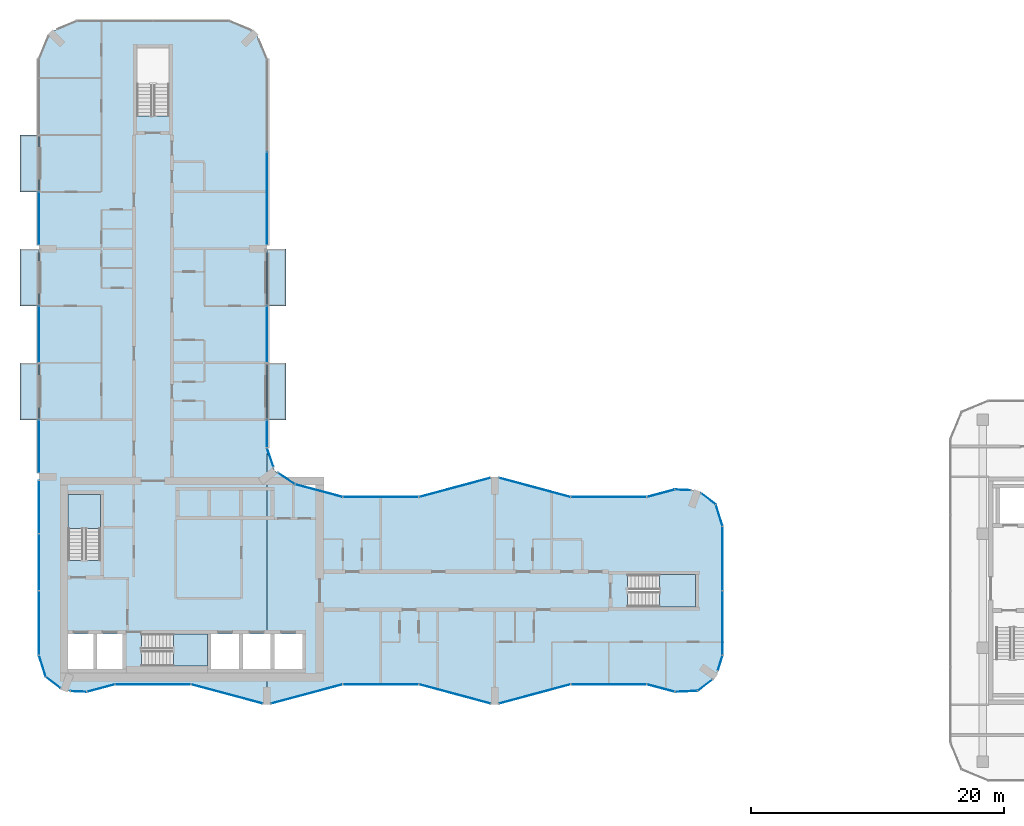
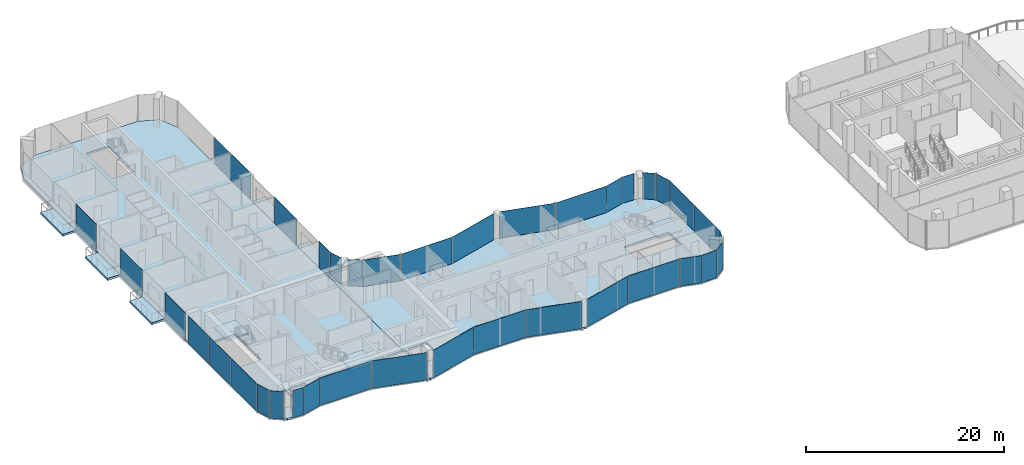
# One storey, part 11 of 22: 37 plates, 10 slabs, 37 elements without a shape of their own.
"""IFC4 building model written with IfcOpenShell, lengths in metres."""

from ifc_helpers import new_model, si_unit, direction, frame, origin, origin_2d, place, context, subcontext, project, spatial, polyline, rectangle, outline, extrude, material, layer, layer_set, type_object, element, aggregate, save


model = new_model("IFC4")

# Units and contexts
model_context = context("Model", 3, precision=1e-05, world=origin(), true_north=direction((0.0, 1.0)))
body_context = subcontext(model_context, "Body", "Model", "MODEL_VIEW")
ifc_project = project(units=[si_unit("LENGTHUNIT", "METRE"), si_unit("AREAUNIT", "SQUARE_METRE"), si_unit("VOLUMEUNIT", "CUBIC_METRE"), si_unit("PLANEANGLEUNIT", "RADIAN"), si_unit("MASSUNIT", "GRAM", prefix="KILO")], contexts=[model_context])

# Site, building, storey
site_placement = place(None, origin())
site = spatial("IfcSite", under=ifc_project, at=site_placement, CompositionType="ELEMENT")
building_placement = place(site_placement, origin())
building = spatial("IfcBuilding", under=site, at=building_placement, Name="Plateau Cross Towers", CompositionType="ELEMENT")
storey_placement = place(building_placement, frame((0.0, 0.0, 116.800048828125)))
storey = spatial("IfcBuildingStorey", under=building, at=storey_placement, Name="L30", CompositionType="ELEMENT", Elevation=116.800048828125)

# Slabs
ifc_material_1 = material(Name="Concrete C40/50", Category="concrete")
ifc_layer_1 = layer(ifc_material_1, 0.25)
ifc_layer_set_1 = layer_set([ifc_layer_1], Name="Concrete C40/50")
slab_type_1 = type_object("IfcSlabType", Name="Balcony slab 250", PredefinedType="FLOOR", material=ifc_layer_set_1)
slab_1_placement = place(storey_placement, frame((0.0, 0.0, -0.25)))
element("IfcSlab", 1, at=slab_1_placement, inside=storey, type_object=slab_type_1, Name="Balcony slab A-BAL-L30-01", PredefinedType="FLOOR", context=body_context, shape_type="SweptSolid", body=[
    extrude(outline(polyline([(0.0, 22.5), (0.0, 27.0), (-1.5, 27.0), (-1.5, 22.5), (0.0, 22.5)])), origin(), (0.0, 0.0, 1.0), 0.25),
])
slab_2_placement = place(storey_placement, frame((0.0, 0.0, -0.25)))
element("IfcSlab", 2, at=slab_2_placement, inside=storey, type_object=slab_type_1, Name="Balcony slab A-BAL-L30-02", PredefinedType="FLOOR", context=body_context, shape_type="SweptSolid", body=[
    extrude(outline(polyline([(0.0, 31.5), (0.0, 36.0), (-1.5, 36.0), (-1.5, 31.5), (0.0, 31.5)])), origin(), (0.0, 0.0, 1.0), 0.25),
])
slab_3_placement = place(storey_placement, frame((0.0, 0.0, -0.25)))
element("IfcSlab", 3, at=slab_3_placement, inside=storey, type_object=slab_type_1, Name="Balcony slab A-BAL-L30-03", PredefinedType="FLOOR", context=body_context, shape_type="SweptSolid", body=[
    extrude(outline(polyline([(0.0, 40.5), (0.0, 45.0), (-1.5, 45.0), (-1.5, 40.5), (0.0, 40.5)])), origin(), (0.0, 0.0, 1.0), 0.25),
])
slab_4_placement = place(storey_placement, frame((0.0, 0.0, -0.25)))
element("IfcSlab", 4, at=slab_4_placement, inside=storey, type_object=slab_type_1, Name="Balcony slab A-BAL-L30-04", PredefinedType="FLOOR", context=body_context, shape_type="SweptSolid", body=[
    extrude(outline(polyline([(19.5, 22.5), (19.5, 27.0), (18.0, 27.0), (18.0, 22.5), (19.5, 22.5)])), origin(), (0.0, 0.0, 1.0), 0.25),
])
slab_5_placement = place(storey_placement, frame((0.0, 0.0, -0.25)))
element("IfcSlab", 5, at=slab_5_placement, inside=storey, type_object=slab_type_1, Name="Balcony slab A-BAL-L30-05", PredefinedType="FLOOR", context=body_context, shape_type="SweptSolid", body=[
    extrude(outline(polyline([(19.5, 31.5), (19.5, 36.0), (18.0, 36.0), (18.0, 31.5), (19.5, 31.5)])), origin(), (0.0, 0.0, 1.0), 0.25),
])

# Curtain wall, plate
ifc_material_2 = material(Name="Dark low-iron glass", Category="glass")
ifc_layer_2 = layer(ifc_material_2, 0.239990234375)
ifc_layer_set_2 = layer_set([ifc_layer_2], Name="Dark low-iron glass")
curtain_wall_type_1 = type_object("IfcCurtainWallType", Name="Curtain wall flush unitised CW-B", PredefinedType="NOTDEFINED", material=ifc_layer_set_2)
curtain_wall_1_placement = place(storey_placement, origin())
curtain_wall_1 = element("IfcCurtainWall", 6, at=curtain_wall_1_placement, inside=storey, type_object=curtain_wall_type_1, Name="ENV/A/L30/A502_10", PredefinedType="NOTDEFINED")
ifc_layer_3 = layer(ifc_material_2, 0.031982421875)
ifc_layer_set_3 = layer_set([ifc_layer_3], Name="Dark low-iron glass")
plate_type_1 = type_object("IfcPlateType", Name="Glass panel 32 flush unitised", PredefinedType="CURTAIN_PANEL", material=ifc_layer_set_3)
plate_1_placement = place(storey_placement, frame((51.125, 1.05078125, -0.1298828125), z_axis=(0.0, 0.0, 1.0), x_axis=(0.999043701491, 0.043722791671, 0.0)))
plate_1 = element("IfcPlate", 7, at=plate_1_placement, type_object=plate_type_1, Name="CW-B panel 1", PredefinedType="CURTAIN_PANEL", context=body_context, shape_type="SweptSolid", body=[
    extrude(rectangle(XDim=1.744140625, YDim=0.031982421875, at=origin_2d()), origin(), (0.0, 0.0, 1.0), 3.3798828125),
])
aggregate(curtain_wall_1, [plate_1])

curtain_wall_2_placement = place(storey_placement, origin())
curtain_wall_2 = element("IfcCurtainWall", 8, at=curtain_wall_2_placement, inside=storey, type_object=curtain_wall_type_1, Name="ENV/A/L30/A520_11", PredefinedType="NOTDEFINED")
plate_2_placement = place(storey_placement, frame((52.60986328125, 1.5380859375, -0.1298828125), z_axis=(0.0, 0.0, 1.0), x_axis=(0.793315514529, 0.608810721331, 0.0)))
plate_2 = element("IfcPlate", 9, at=plate_2_placement, type_object=plate_type_1, Name="CW-B panel 1", PredefinedType="CURTAIN_PANEL", context=body_context, shape_type="SweptSolid", body=[
    extrude(rectangle(XDim=1.41162109375, YDim=0.031982421875, at=origin_2d()), origin(), (0.0, 0.0, 1.0), 3.3798828125),
])
aggregate(curtain_wall_2, [plate_2])

curtain_wall_3_placement = place(storey_placement, origin())
curtain_wall_3 = element("IfcCurtainWall", 10, at=curtain_wall_3_placement, inside=storey, type_object=curtain_wall_type_1, Name="ENV/A/L30/A536_27", PredefinedType="NOTDEFINED")
plate_3_placement = place(storey_placement, frame((53.805419921875, 3.292236328125, -0.1298828125), z_axis=(0.0, 0.0, 1.0), x_axis=(0.300686174994, 0.95372313811, 0.0)))
plate_3 = element("IfcPlate", 11, at=plate_3_placement, type_object=plate_type_1, Name="CW-B panel 1", PredefinedType="CURTAIN_PANEL", context=body_context, shape_type="SweptSolid", body=[
    extrude(rectangle(XDim=1.233642578125, YDim=0.031982421875, at=origin_2d()), origin(), (0.0, 0.0, 1.0), 3.3798828125),
])
aggregate(curtain_wall_3, [plate_3])

# Curtain wall, plates
curtain_wall_4_placement = place(storey_placement, origin())
curtain_wall_4 = element("IfcCurtainWall", 12, at=curtain_wall_4_placement, inside=storey, type_object=curtain_wall_type_1, Name="ENV/A/L30/A540_39", PredefinedType="NOTDEFINED")
plate_4_placement = place(storey_placement, frame((54.0, 6.45458984375, -0.1298828125), z_axis=(0.0, 0.0, 1.0), x_axis=(0.0, 1.0, 0.0)))
plate_4 = element("IfcPlate", 13, at=plate_4_placement, type_object=plate_type_1, Name="CW-B panel 1", PredefinedType="CURTAIN_PANEL", context=body_context, shape_type="SweptSolid", body=[
    extrude(rectangle(XDim=5.03076171875, YDim=0.031982421875, at=origin_2d()), origin(), (0.0, 0.0, 1.0), 3.3798828125),
])
plate_5_placement = place(storey_placement, frame((54.0, 11.54541015625, -0.1298828125), z_axis=(0.0, 0.0, 1.0), x_axis=(0.0, 1.0, 0.0)))
plate_5 = element("IfcPlate", 14, at=plate_5_placement, type_object=plate_type_1, Name="CW-B panel 2", PredefinedType="CURTAIN_PANEL", context=body_context, shape_type="SweptSolid", body=[
    extrude(rectangle(XDim=5.03076171875, YDim=0.031982421875, at=origin_2d()), origin(), (0.0, 0.0, 1.0), 3.3798828125),
])
aggregate(curtain_wall_4, [plate_4, plate_5])

# Curtain wall, plate
curtain_wall_5_placement = place(storey_placement, origin())
curtain_wall_5 = element("IfcCurtainWall", 15, at=curtain_wall_5_placement, inside=storey, type_object=curtain_wall_type_1, Name="ENV/A/L30/A540_141", PredefinedType="NOTDEFINED")
plate_6_placement = place(storey_placement, frame((53.728759765625, 14.951171875, -0.1298828125), z_axis=(0.0, 0.0, 1.0), x_axis=(-0.300686174994, 0.95372313811, 0.0)))
plate_6 = element("IfcPlate", 16, at=plate_6_placement, type_object=plate_type_1, Name="CW-B panel 1", PredefinedType="CURTAIN_PANEL", context=body_context, shape_type="SweptSolid", body=[
    extrude(rectangle(XDim=1.744140625, YDim=0.031982421875, at=origin_2d()), origin(), (0.0, 0.0, 1.0), 3.3798828125),
])
aggregate(curtain_wall_5, [plate_6])

curtain_wall_6_placement = place(storey_placement, origin())
curtain_wall_6 = element("IfcCurtainWall", 17, at=curtain_wall_6_placement, inside=storey, type_object=curtain_wall_type_1, Name="ENV/A/L30/A535_158", PredefinedType="NOTDEFINED")
plate_7_placement = place(storey_placement, frame((52.873779296875, 16.25927734375, -0.1298828125), z_axis=(0.0, 0.0, 1.0), x_axis=(-0.793315514529, 0.608810721331, 0.0)))
plate_7 = element("IfcPlate", 18, at=plate_7_placement, type_object=plate_type_1, Name="CW-B panel 1", PredefinedType="CURTAIN_PANEL", context=body_context, shape_type="SweptSolid", body=[
    extrude(rectangle(XDim=1.41162109375, YDim=0.031982421875, at=origin_2d()), origin(), (0.0, 0.0, 1.0), 3.3798828125),
])
aggregate(curtain_wall_6, [plate_7])

curtain_wall_7_placement = place(storey_placement, origin())
curtain_wall_7 = element("IfcCurtainWall", 19, at=curtain_wall_7_placement, inside=storey, type_object=curtain_wall_type_1, Name="ENV/A/L30/A515_169", PredefinedType="NOTDEFINED")
plate_8_placement = place(storey_placement, frame((50.8701171875, 16.96044921875, -0.1298828125), z_axis=(0.0, 0.0, 1.0), x_axis=(-0.999043701491, 0.043722791671, 0.0)))
plate_8 = element("IfcPlate", 20, at=plate_8_placement, type_object=plate_type_1, Name="CW-B panel 1", PredefinedType="CURTAIN_PANEL", context=body_context, shape_type="SweptSolid", body=[
    extrude(rectangle(XDim=1.233642578125, YDim=0.031982421875, at=origin_2d()), origin(), (0.0, 0.0, 1.0), 3.3798828125),
])
aggregate(curtain_wall_7, [plate_8])

curtain_wall_8_placement = place(storey_placement, origin())
curtain_wall_8 = element("IfcCurtainWall", 21, at=curtain_wall_8_placement, inside=storey, type_object=curtain_wall_type_1, Name="ENV/A/L30/A202_174", PredefinedType="NOTDEFINED")
plate_9_placement = place(storey_placement, frame((19.546630859375, 17.856689453125, -0.1298828125), z_axis=(0.0, 0.0, 1.0), x_axis=(-0.831521253329, 0.555492938984, 0.0)))
plate_9 = element("IfcPlate", 22, at=plate_9_placement, type_object=plate_type_1, Name="CW-B panel 1", PredefinedType="CURTAIN_PANEL", context=body_context, shape_type="SweptSolid", body=[
    extrude(rectangle(XDim=1.56884765625, YDim=0.031982421875, at=origin_2d()), origin(), (0.0, 0.0, 1.0), 3.3798828125),
])
aggregate(curtain_wall_8, [plate_9])

curtain_wall_9_placement = place(storey_placement, origin())
curtain_wall_9 = element("IfcCurtainWall", 23, at=curtain_wall_9_placement, inside=storey, type_object=curtain_wall_type_1, Name="ENV/A/L30/A185_188", PredefinedType="NOTDEFINED")
plate_10_placement = place(storey_placement, frame((18.26171875, 19.531005859375, -0.1298828125), z_axis=(0.0, 0.0, 1.0), x_axis=(-0.321469161574, 0.94692004845, 0.0)))
plate_10 = element("IfcPlate", 24, at=plate_10_placement, type_object=plate_type_1, Name="CW-B panel 1", PredefinedType="CURTAIN_PANEL", context=body_context, shape_type="SweptSolid", body=[
    extrude(rectangle(XDim=1.56884765625, YDim=0.031982421875, at=origin_2d()), origin(), (0.0, 0.0, 1.0), 3.3798828125),
])
aggregate(curtain_wall_9, [plate_10])

curtain_wall_10_placement = place(storey_placement, origin())
curtain_wall_10 = element("IfcCurtainWall", 25, at=curtain_wall_10_placement, inside=storey, type_object=curtain_wall_type_1, Name="ENV/A/L30/A180_203", PredefinedType="NOTDEFINED")
plate_11_placement = place(storey_placement, frame((18.0, 21.396240234375, -0.1298828125), z_axis=(0.0, 0.0, 1.0), x_axis=(0.0, 1.0, 0.0)))
plate_11 = element("IfcPlate", 26, at=plate_11_placement, type_object=plate_type_1, Name="CW-B panel 1", PredefinedType="CURTAIN_PANEL", context=body_context, shape_type="SweptSolid", body=[
    extrude(rectangle(XDim=2.127685546875, YDim=0.031982421875, at=origin_2d()), origin(), (0.0, 0.0, 1.0), 3.3798828125),
])
aggregate(curtain_wall_10, [plate_11])

curtain_wall_11_placement = place(storey_placement, origin())
curtain_wall_11 = element("IfcCurtainWall", 27, at=curtain_wall_11_placement, inside=storey, type_object=curtain_wall_type_1, Name="ENV/A/L30/A180_270", PredefinedType="NOTDEFINED")
plate_12_placement = place(storey_placement, frame((18.0, 29.25, -0.1298828125), z_axis=(0.0, 0.0, 1.0), x_axis=(0.0, 1.0, 0.0)))
plate_12 = element("IfcPlate", 28, at=plate_12_placement, type_object=plate_type_1, Name="CW-B panel 1", PredefinedType="CURTAIN_PANEL", context=body_context, shape_type="SweptSolid", body=[
    extrude(rectangle(XDim=4.419921875, YDim=0.031982421875, at=origin_2d()), origin(), (0.0, 0.0, 1.0), 3.3798828125),
])
aggregate(curtain_wall_11, [plate_12])

curtain_wall_12_placement = place(storey_placement, origin())
curtain_wall_12 = element("IfcCurtainWall", 29, at=curtain_wall_12_placement, inside=storey, type_object=curtain_wall_type_1, Name="ENV/A/L30/A180_363", PredefinedType="NOTDEFINED")
plate_13_placement = place(storey_placement, frame((18.0, 39.97509765625, -0.1298828125), z_axis=(0.0, 0.0, 1.0), x_axis=(0.0, 1.0, 0.0)))
plate_13 = element("IfcPlate", 30, at=plate_13_placement, type_object=plate_type_1, Name="CW-B panel 1", PredefinedType="CURTAIN_PANEL", context=body_context, shape_type="SweptSolid", body=[
    extrude(rectangle(XDim=7.2900390625, YDim=0.031982421875, at=origin_2d()), origin(), (0.0, 0.0, 1.0), 3.3798828125),
])
aggregate(curtain_wall_12, [plate_13])

curtain_wall_13_placement = place(storey_placement, origin())
curtain_wall_13 = element("IfcCurtainWall", 31, at=curtain_wall_13_placement, inside=storey, type_object=curtain_wall_type_1, Name="ENV/A/L30/A0_405", PredefinedType="NOTDEFINED")
plate_14_placement = place(storey_placement, frame((0.0, 38.39501953125, -0.1298828125), z_axis=(0.0, 0.0, 1.0), x_axis=(0.0, -1.0, 0.0)))
plate_14 = element("IfcPlate", 32, at=plate_14_placement, type_object=plate_type_1, Name="CW-B panel 1", PredefinedType="CURTAIN_PANEL", context=body_context, shape_type="SweptSolid", body=[
    extrude(rectangle(XDim=4.1298828125, YDim=0.031982421875, at=origin_2d()), origin(), (0.0, 0.0, 1.0), 3.3798828125),
])
aggregate(curtain_wall_13, [plate_14])

curtain_wall_14_placement = place(storey_placement, origin())
curtain_wall_14 = element("IfcCurtainWall", 33, at=curtain_wall_14_placement, inside=storey, type_object=curtain_wall_type_1, Name="ENV/A/L30/A0_315", PredefinedType="NOTDEFINED")
plate_15_placement = place(storey_placement, frame((0.0, 29.25, -0.1298828125), z_axis=(0.0, 0.0, 1.0), x_axis=(0.0, -1.0, 0.0)))
plate_15 = element("IfcPlate", 34, at=plate_15_placement, type_object=plate_type_1, Name="CW-B panel 1", PredefinedType="CURTAIN_PANEL", context=body_context, shape_type="SweptSolid", body=[
    extrude(rectangle(XDim=4.419921875, YDim=0.031982421875, at=origin_2d()), origin(), (0.0, 0.0, 1.0), 3.3798828125),
])
aggregate(curtain_wall_14, [plate_15])

curtain_wall_15_placement = place(storey_placement, origin())
curtain_wall_15 = element("IfcCurtainWall", 35, at=curtain_wall_15_placement, inside=storey, type_object=curtain_wall_type_1, Name="ENV/A/L30/A0_225", PredefinedType="NOTDEFINED")
plate_16_placement = place(storey_placement, frame((0.0, 20.39501953125, -0.1298828125), z_axis=(0.0, 0.0, 1.0), x_axis=(0.0, -1.0, 0.0)))
plate_16 = element("IfcPlate", 36, at=plate_16_placement, type_object=plate_type_1, Name="CW-B panel 1", PredefinedType="CURTAIN_PANEL", context=body_context, shape_type="SweptSolid", body=[
    extrude(rectangle(XDim=4.1298828125, YDim=0.031982421875, at=origin_2d()), origin(), (0.0, 0.0, 1.0), 3.3798828125),
])
aggregate(curtain_wall_15, [plate_16])

# Curtain wall, plates
curtain_wall_16_placement = place(storey_placement, origin())
curtain_wall_16 = element("IfcCurtainWall", 37, at=curtain_wall_16_placement, inside=storey, type_object=curtain_wall_type_1, Name="ENV/A/L30/A0_177", PredefinedType="NOTDEFINED")
plate_17_placement = place(storey_placement, frame((0.0, 15.60009765625, -0.1298828125), z_axis=(0.0, 0.0, 1.0), x_axis=(0.0, -1.0, 0.0)))
plate_17 = element("IfcPlate", 38, at=plate_17_placement, type_object=plate_type_1, Name="CW-B panel 1", PredefinedType="CURTAIN_PANEL", context=body_context, shape_type="SweptSolid", body=[
    extrude(rectangle(XDim=4.139892578125, YDim=0.031982421875, at=origin_2d()), origin(), (0.0, 0.0, 1.0), 3.3798828125),
])
plate_18_placement = place(storey_placement, frame((0.0, 11.25, -0.1298828125), z_axis=(0.0, 0.0, 1.0), x_axis=(0.0, -1.0, 0.0)))
plate_18 = element("IfcPlate", 39, at=plate_18_placement, type_object=plate_type_1, Name="CW-B panel 2", PredefinedType="CURTAIN_PANEL", context=body_context, shape_type="SweptSolid", body=[
    extrude(rectangle(XDim=4.43994140625, YDim=0.031982421875, at=origin_2d()), origin(), (0.0, 0.0, 1.0), 3.3798828125),
])
plate_19_placement = place(storey_placement, frame((0.0, 6.45458984375, -0.1298828125), z_axis=(0.0, 0.0, 1.0), x_axis=(0.0, -1.0, 0.0)))
plate_19 = element("IfcPlate", 40, at=plate_19_placement, type_object=plate_type_1, Name="CW-B panel 3", PredefinedType="CURTAIN_PANEL", context=body_context, shape_type="SweptSolid", body=[
    extrude(rectangle(XDim=5.03076171875, YDim=0.031982421875, at=origin_2d()), origin(), (0.0, 0.0, 1.0), 3.3798828125),
])
aggregate(curtain_wall_16, [plate_17, plate_18, plate_19])

# Curtain wall, plate
curtain_wall_17_placement = place(storey_placement, origin())
curtain_wall_17 = element("IfcCurtainWall", 41, at=curtain_wall_17_placement, inside=storey, type_object=curtain_wall_type_1, Name="ENV/A/L30/A0_39", PredefinedType="NOTDEFINED")
plate_20_placement = place(storey_placement, frame((0.271240234375, 3.048828125, -0.1298828125), z_axis=(0.0, 0.0, 1.0), x_axis=(0.300686174994, -0.95372313811, 0.0)))
plate_20 = element("IfcPlate", 42, at=plate_20_placement, type_object=plate_type_1, Name="CW-B panel 1", PredefinedType="CURTAIN_PANEL", context=body_context, shape_type="SweptSolid", body=[
    extrude(rectangle(XDim=1.744140625, YDim=0.031982421875, at=origin_2d()), origin(), (0.0, 0.0, 1.0), 3.3798828125),
])
aggregate(curtain_wall_17, [plate_20])

curtain_wall_18_placement = place(storey_placement, origin())
curtain_wall_18 = element("IfcCurtainWall", 43, at=curtain_wall_18_placement, inside=storey, type_object=curtain_wall_type_1, Name="ENV/A/L30/A5_22", PredefinedType="NOTDEFINED")
plate_21_placement = place(storey_placement, frame((1.126220703125, 1.74072265625, -0.1298828125), z_axis=(0.0, 0.0, 1.0), x_axis=(0.793315514529, -0.608810721331, 0.0)))
plate_21 = element("IfcPlate", 44, at=plate_21_placement, type_object=plate_type_1, Name="CW-B panel 1", PredefinedType="CURTAIN_PANEL", context=body_context, shape_type="SweptSolid", body=[
    extrude(rectangle(XDim=1.41162109375, YDim=0.031982421875, at=origin_2d()), origin(), (0.0, 0.0, 1.0), 3.3798828125),
])
aggregate(curtain_wall_18, [plate_21])

curtain_wall_19_placement = place(storey_placement, origin())
curtain_wall_19 = element("IfcCurtainWall", 45, at=curtain_wall_19_placement, inside=storey, type_object=curtain_wall_type_1, Name="ENV/A/L30/A25_11", PredefinedType="NOTDEFINED")
plate_22_placement = place(storey_placement, frame((3.1298828125, 1.03955078125, -0.1298828125), z_axis=(0.0, 0.0, 1.0), x_axis=(0.999043701491, -0.043722791671, 0.0)))
plate_22 = element("IfcPlate", 46, at=plate_22_placement, type_object=plate_type_1, Name="CW-B panel 1", PredefinedType="CURTAIN_PANEL", context=body_context, shape_type="SweptSolid", body=[
    extrude(rectangle(XDim=1.233642578125, YDim=0.031982421875, at=origin_2d()), origin(), (0.0, 0.0, 1.0), 3.3798828125),
])
aggregate(curtain_wall_19, [plate_22])

ifc_layer_4 = layer(ifc_material_2, 0.260009765625)
ifc_layer_set_4 = layer_set([ifc_layer_4], Name="Dark low-iron glass")
curtain_wall_type_2 = type_object("IfcCurtainWallType", Name="Curtain wall fluted unitised CW-A", PredefinedType="NOTDEFINED", material=ifc_layer_set_4)
curtain_wall_20_placement = place(storey_placement, origin())
curtain_wall_20 = element("IfcCurtainWall", 47, at=curtain_wall_20_placement, inside=storey, type_object=curtain_wall_type_2, Name="ENV/A/L30/A38_10", PredefinedType="NOTDEFINED")
ifc_layer_5 = layer(ifc_material_2, 0.035888671875)
ifc_layer_set_5 = layer_set([ifc_layer_5], Name="Dark low-iron glass")
plate_type_2 = type_object("IfcPlateType", Name="Glass panel 36 fluted unitised", PredefinedType="CURTAIN_PANEL", material=ifc_layer_set_5)
plate_23_placement = place(storey_placement, frame((4.887939453125, 1.30908203125, -0.1298828125), z_axis=(0.0, 0.0, 1.0), x_axis=(0.965957962328, 0.258699081978, 0.0)))
plate_23 = element("IfcPlate", 48, at=plate_23_placement, type_object=plate_type_2, Name="CW-A panel 1", PredefinedType="CURTAIN_PANEL", context=body_context, shape_type="SweptSolid", body=[
    extrude(rectangle(XDim=2.2421875, YDim=0.035888671875, at=origin_2d()), origin(), (0.0, 0.0, 1.0), 3.3798828125),
])
aggregate(curtain_wall_20, [plate_23])

curtain_wall_21_placement = place(storey_placement, origin())
curtain_wall_21 = element("IfcCurtainWall", 49, at=curtain_wall_21_placement, inside=storey, type_object=curtain_wall_type_2, Name="ENV/A/L30/A60_16", PredefinedType="NOTDEFINED")
plate_24_placement = place(storey_placement, frame((9.0, 1.60693359375, -0.1298828125), z_axis=(0.0, 0.0, 1.0), x_axis=(1.0, 0.0, 0.0)))
plate_24 = element("IfcPlate", 50, at=plate_24_placement, type_object=plate_type_2, Name="CW-A panel 1", PredefinedType="CURTAIN_PANEL", context=body_context, shape_type="SweptSolid", body=[
    extrude(rectangle(XDim=5.93994140625, YDim=0.035888671875, at=origin_2d()), origin(), (0.0, 0.0, 1.0), 3.3798828125),
])
aggregate(curtain_wall_21, [plate_24])

curtain_wall_22_placement = place(storey_placement, origin())
curtain_wall_22 = element("IfcCurtainWall", 51, at=curtain_wall_22_placement, inside=storey, type_object=curtain_wall_type_2, Name="ENV/A/L30/A120_16", PredefinedType="NOTDEFINED")
plate_25_placement = place(storey_placement, frame((14.841064453125, 0.845947265625, -0.1298828125), z_axis=(0.0, 0.0, 1.0), x_axis=(0.965957983404, -0.258699003279, 0.0)))
plate_25 = element("IfcPlate", 52, at=plate_25_placement, type_object=plate_type_2, Name="CW-A panel 1", PredefinedType="CURTAIN_PANEL", context=body_context, shape_type="SweptSolid", body=[
    extrude(rectangle(XDim=5.822265625, YDim=0.035888671875, at=origin_2d()), origin(), (0.0, 0.0, 1.0), 3.3798828125),
])
aggregate(curtain_wall_22, [plate_25])

curtain_wall_23_placement = place(storey_placement, origin())
curtain_wall_23 = element("IfcCurtainWall", 53, at=curtain_wall_23_placement, inside=storey, type_object=curtain_wall_type_2, Name="ENV/A/L30/A183_1", PredefinedType="NOTDEFINED")
plate_26_placement = place(storey_placement, frame((21.158935546875, 0.845947265625, -0.1298828125), z_axis=(0.0, 0.0, 1.0), x_axis=(0.965957983404, 0.258699003279, 0.0)))
plate_26 = element("IfcPlate", 54, at=plate_26_placement, type_object=plate_type_2, Name="CW-A panel 1", PredefinedType="CURTAIN_PANEL", context=body_context, shape_type="SweptSolid", body=[
    extrude(rectangle(XDim=5.822265625, YDim=0.035888671875, at=origin_2d()), origin(), (0.0, 0.0, 1.0), 3.3798828125),
])
aggregate(curtain_wall_23, [plate_26])

curtain_wall_24_placement = place(storey_placement, origin())
curtain_wall_24 = element("IfcCurtainWall", 55, at=curtain_wall_24_placement, inside=storey, type_object=curtain_wall_type_2, Name="ENV/A/L30/A240_16", PredefinedType="NOTDEFINED")
plate_27_placement = place(storey_placement, frame((27.0, 1.60693359375, -0.1298828125), z_axis=(0.0, 0.0, 1.0), x_axis=(1.0, 0.0, 0.0)))
plate_27 = element("IfcPlate", 56, at=plate_27_placement, type_object=plate_type_2, Name="CW-A panel 1", PredefinedType="CURTAIN_PANEL", context=body_context, shape_type="SweptSolid", body=[
    extrude(rectangle(XDim=5.93994140625, YDim=0.035888671875, at=origin_2d()), origin(), (0.0, 0.0, 1.0), 3.3798828125),
])
aggregate(curtain_wall_24, [plate_27])

curtain_wall_25_placement = place(storey_placement, origin())
curtain_wall_25 = element("IfcCurtainWall", 57, at=curtain_wall_25_placement, inside=storey, type_object=curtain_wall_type_2, Name="ENV/A/L30/A300_16", PredefinedType="NOTDEFINED")
plate_28_placement = place(storey_placement, frame((32.841064453125, 0.845947265625, -0.1298828125), z_axis=(0.0, 0.0, 1.0), x_axis=(0.965957983404, -0.258699003279, 0.0)))
plate_28 = element("IfcPlate", 58, at=plate_28_placement, type_object=plate_type_2, Name="CW-A panel 1", PredefinedType="CURTAIN_PANEL", context=body_context, shape_type="SweptSolid", body=[
    extrude(rectangle(XDim=5.822265625, YDim=0.035888671875, at=origin_2d()), origin(), (0.0, 0.0, 1.0), 3.3798828125),
])
aggregate(curtain_wall_25, [plate_28])

curtain_wall_26_placement = place(storey_placement, origin())
curtain_wall_26 = element("IfcCurtainWall", 59, at=curtain_wall_26_placement, inside=storey, type_object=curtain_wall_type_2, Name="ENV/A/L30/A363_1", PredefinedType="NOTDEFINED")
plate_29_placement = place(storey_placement, frame((39.158935546875, 0.845947265625, -0.1298828125), z_axis=(0.0, 0.0, 1.0), x_axis=(0.965957983404, 0.258699003279, 0.0)))
plate_29 = element("IfcPlate", 60, at=plate_29_placement, type_object=plate_type_2, Name="CW-A panel 1", PredefinedType="CURTAIN_PANEL", context=body_context, shape_type="SweptSolid", body=[
    extrude(rectangle(XDim=5.822265625, YDim=0.035888671875, at=origin_2d()), origin(), (0.0, 0.0, 1.0), 3.3798828125),
])
aggregate(curtain_wall_26, [plate_29])

curtain_wall_27_placement = place(storey_placement, origin())
curtain_wall_27 = element("IfcCurtainWall", 61, at=curtain_wall_27_placement, inside=storey, type_object=curtain_wall_type_2, Name="ENV/A/L30/A420_16", PredefinedType="NOTDEFINED")
plate_30_placement = place(storey_placement, frame((45.0, 1.60693359375, -0.1298828125), z_axis=(0.0, 0.0, 1.0), x_axis=(1.0, 0.0, 0.0)))
plate_30 = element("IfcPlate", 62, at=plate_30_placement, type_object=plate_type_2, Name="CW-A panel 1", PredefinedType="CURTAIN_PANEL", context=body_context, shape_type="SweptSolid", body=[
    extrude(rectangle(XDim=5.93994140625, YDim=0.035888671875, at=origin_2d()), origin(), (0.0, 0.0, 1.0), 3.3798828125),
])
aggregate(curtain_wall_27, [plate_30])

curtain_wall_28_placement = place(storey_placement, origin())
curtain_wall_28 = element("IfcCurtainWall", 63, at=curtain_wall_28_placement, inside=storey, type_object=curtain_wall_type_2, Name="ENV/A/L30/A480_16", PredefinedType="NOTDEFINED")
plate_31_placement = place(storey_placement, frame((49.112060546875, 1.30908203125, -0.1298828125), z_axis=(0.0, 0.0, 1.0), x_axis=(0.965957962328, -0.258699081978, 0.0)))
plate_31 = element("IfcPlate", 64, at=plate_31_placement, type_object=plate_type_2, Name="CW-A panel 1", PredefinedType="CURTAIN_PANEL", context=body_context, shape_type="SweptSolid", body=[
    extrude(rectangle(XDim=2.2421875, YDim=0.035888671875, at=origin_2d()), origin(), (0.0, 0.0, 1.0), 3.3798828125),
])
aggregate(curtain_wall_28, [plate_31])

curtain_wall_29_placement = place(storey_placement, origin())
curtain_wall_29 = element("IfcCurtainWall", 65, at=curtain_wall_29_placement, inside=storey, type_object=curtain_wall_type_2, Name="ENV/A/L30/A502_170", PredefinedType="NOTDEFINED")
plate_32_placement = place(storey_placement, frame((49.112060546875, 16.69091796875, -0.1298828125), z_axis=(0.0, 0.0, 1.0), x_axis=(-0.965957962328, -0.258699081978, 0.0)))
plate_32 = element("IfcPlate", 66, at=plate_32_placement, type_object=plate_type_2, Name="CW-A panel 1", PredefinedType="CURTAIN_PANEL", context=body_context, shape_type="SweptSolid", body=[
    extrude(rectangle(XDim=2.2421875, YDim=0.035888671875, at=origin_2d()), origin(), (0.0, 0.0, 1.0), 3.3798828125),
])
aggregate(curtain_wall_29, [plate_32])

curtain_wall_30_placement = place(storey_placement, origin())
curtain_wall_30 = element("IfcCurtainWall", 67, at=curtain_wall_30_placement, inside=storey, type_object=curtain_wall_type_2, Name="ENV/A/L30/A480_164", PredefinedType="NOTDEFINED")
plate_33_placement = place(storey_placement, frame((45.0, 16.39306640625, -0.1298828125), z_axis=(0.0, 0.0, 1.0), x_axis=(-1.0, 0.0, 0.0)))
plate_33 = element("IfcPlate", 68, at=plate_33_placement, type_object=plate_type_2, Name="CW-A panel 1", PredefinedType="CURTAIN_PANEL", context=body_context, shape_type="SweptSolid", body=[
    extrude(rectangle(XDim=5.93994140625, YDim=0.035888671875, at=origin_2d()), origin(), (0.0, 0.0, 1.0), 3.3798828125),
])
aggregate(curtain_wall_30, [plate_33])

curtain_wall_31_placement = place(storey_placement, origin())
curtain_wall_31 = element("IfcCurtainWall", 69, at=curtain_wall_31_placement, inside=storey, type_object=curtain_wall_type_2, Name="ENV/A/L30/A420_164", PredefinedType="NOTDEFINED")
plate_34_placement = place(storey_placement, frame((39.158935546875, 17.154052734375, -0.1298828125), z_axis=(0.0, 0.0, 1.0), x_axis=(-0.965957983404, 0.258699003279, 0.0)))
plate_34 = element("IfcPlate", 70, at=plate_34_placement, type_object=plate_type_2, Name="CW-A panel 1", PredefinedType="CURTAIN_PANEL", context=body_context, shape_type="SweptSolid", body=[
    extrude(rectangle(XDim=5.822265625, YDim=0.035888671875, at=origin_2d()), origin(), (0.0, 0.0, 1.0), 3.3798828125),
])
aggregate(curtain_wall_31, [plate_34])

curtain_wall_32_placement = place(storey_placement, origin())
curtain_wall_32 = element("IfcCurtainWall", 71, at=curtain_wall_32_placement, inside=storey, type_object=curtain_wall_type_2, Name="ENV/A/L30/A357_179", PredefinedType="NOTDEFINED")
plate_35_placement = place(storey_placement, frame((32.841064453125, 17.154052734375, -0.1298828125), z_axis=(0.0, 0.0, 1.0), x_axis=(-0.965957983404, -0.258699003279, 0.0)))
plate_35 = element("IfcPlate", 72, at=plate_35_placement, type_object=plate_type_2, Name="CW-A panel 1", PredefinedType="CURTAIN_PANEL", context=body_context, shape_type="SweptSolid", body=[
    extrude(rectangle(XDim=5.822265625, YDim=0.035888671875, at=origin_2d()), origin(), (0.0, 0.0, 1.0), 3.3798828125),
])
aggregate(curtain_wall_32, [plate_35])

curtain_wall_33_placement = place(storey_placement, origin())
curtain_wall_33 = element("IfcCurtainWall", 73, at=curtain_wall_33_placement, inside=storey, type_object=curtain_wall_type_2, Name="ENV/A/L30/A300_164", PredefinedType="NOTDEFINED")
plate_36_placement = place(storey_placement, frame((27.0, 16.39306640625, -0.1298828125), z_axis=(0.0, 0.0, 1.0), x_axis=(-1.0, 0.0, 0.0)))
plate_36 = element("IfcPlate", 74, at=plate_36_placement, type_object=plate_type_2, Name="CW-A panel 1", PredefinedType="CURTAIN_PANEL", context=body_context, shape_type="SweptSolid", body=[
    extrude(rectangle(XDim=5.93994140625, YDim=0.035888671875, at=origin_2d()), origin(), (0.0, 0.0, 1.0), 3.3798828125),
])
aggregate(curtain_wall_33, [plate_36])

curtain_wall_34_placement = place(storey_placement, origin())
curtain_wall_34 = element("IfcCurtainWall", 75, at=curtain_wall_34_placement, inside=storey, type_object=curtain_wall_type_2, Name="ENV/A/L30/A240_164", PredefinedType="NOTDEFINED")
plate_37_placement = place(storey_placement, frame((22.112060546875, 16.898681640625, -0.1298828125), z_axis=(0.0, 0.0, 1.0), x_axis=(-0.965957995816, 0.258698956933, 0.0)))
plate_37 = element("IfcPlate", 76, at=plate_37_placement, type_object=plate_type_2, Name="CW-A panel 1", PredefinedType="CURTAIN_PANEL", context=body_context, shape_type="SweptSolid", body=[
    extrude(rectangle(XDim=3.84912109375, YDim=0.035888671875, at=origin_2d()), origin(), (0.0, 0.0, 1.0), 3.3798828125),
])
aggregate(curtain_wall_34, [plate_37])

# Slabs
ifc_layer_6 = layer(ifc_material_1, 0.25)
ifc_layer_set_6 = layer_set([ifc_layer_6], Name="Concrete C40/50")
slab_type_2 = type_object("IfcSlabType", Name="Post-tensioned flat plate slab 250", PredefinedType="FLOOR", material=ifc_layer_set_6)
slab_6_placement = place(storey_placement, frame((0.0, 0.0, -0.25)))
element("IfcSlab", 77, at=slab_6_placement, inside=storey, type_object=slab_type_2, Name="SL-A-L30 1", PredefinedType="FLOOR", context=body_context, shape_type="SweptSolid", body=[
    extrude(outline(polyline([(0.54248046875, 2.1884765625), (0.0, 3.9091796875), (0.0, 51.0), (0.878662109375, 53.121337890625), (3.0, 54.0), (15.0, 54.0), (17.121337890625, 53.121337890625), (18.0, 51.0), (18.0, 20.30224609375), (18.0, 5.60009765625), (16.10009765625, 5.60009765625), (16.10009765625, 2.800048828125), (18.0, 2.800048828125), (18.0, 0.0), (12.0, 1.60693359375), (6.0, 1.60693359375), (3.776123046875, 1.01123046875), (1.9736328125, 1.090087890625), (0.54248046875, 2.1884765625)]), holes=[polyline([(4.300048828125, 5.60009765625), (2.300048828125, 5.60009765625), (2.300048828125, 2.800048828125), (4.300048828125, 2.800048828125), (4.300048828125, 5.60009765625)]), polyline([(6.60009765625, 5.60009765625), (4.60009765625, 5.60009765625), (4.60009765625, 2.800048828125), (6.60009765625, 2.800048828125), (6.60009765625, 5.60009765625)]), polyline([(15.800048828125, 5.60009765625), (13.60009765625, 5.60009765625), (13.60009765625, 2.800048828125), (15.800048828125, 2.800048828125), (15.800048828125, 5.60009765625)]), polyline([(13.300048828125, 5.60009765625), (8.10009765625, 5.60009765625), (8.10009765625, 3.050048828125), (13.300048828125, 3.050048828125), (13.300048828125, 5.60009765625)]), polyline([(4.85009765625, 16.60009765625), (2.300048828125, 16.60009765625), (2.300048828125, 11.39990234375), (4.85009765625, 11.39990234375), (4.85009765625, 16.60009765625)]), polyline([(7.72509765625, 51.699951171875), (7.72509765625, 46.5), (10.27490234375, 46.5), (10.27490234375, 51.699951171875), (7.72509765625, 51.699951171875)])]), origin(), (0.0, 0.0, 1.0), 0.25),
])
slab_7_placement = place(storey_placement, frame((0.0, 0.0, -0.25)))
element("IfcSlab", 78, at=slab_7_placement, inside=storey, type_object=slab_type_2, Name="SL-A-L30 2", PredefinedType="FLOOR", context=body_context, shape_type="SweptSolid", body=[
    extrude(outline(polyline([(18.6201171875, 18.475830078125), (20.223876953125, 17.404296875), (24.0, 16.39306640625), (30.0, 16.39306640625), (36.0, 18.0), (42.0, 16.39306640625), (48.0, 16.39306640625), (50.223876953125, 16.98876953125), (52.0263671875, 16.909912109375), (53.45751953125, 15.8115234375), (54.0, 14.0908203125), (54.0, 3.9091796875), (53.45751953125, 2.1884765625), (52.0263671875, 1.090087890625), (50.223876953125, 1.01123046875), (48.0, 1.60693359375), (42.0, 1.60693359375), (36.0, 0.0), (30.0, 1.60693359375), (24.0, 1.60693359375), (18.0, 0.0), (18.0, 2.800048828125), (18.300048828125, 2.800048828125), (18.300048828125, 5.60009765625), (18.0, 5.60009765625), (18.0, 20.30224609375), (18.6201171875, 18.475830078125)]), holes=[polyline([(20.800048828125, 5.60009765625), (18.60009765625, 5.60009765625), (18.60009765625, 2.800048828125), (20.800048828125, 2.800048828125), (20.800048828125, 5.60009765625)]), polyline([(51.699951171875, 7.72509765625), (51.699951171875, 10.27490234375), (46.5, 10.27490234375), (46.5, 7.72509765625), (51.699951171875, 7.72509765625)])]), origin(), (0.0, 0.0, 1.0), 0.25),
])

# Stair, slab
stair_type = type_object("IfcStairType", Name="ST-TWR", PredefinedType="HALF_TURN_STAIR", material=ifc_material_1)
stair_1_placement = place(storey_placement, origin())
stair_1 = element("IfcStair", 79, at=stair_1_placement, inside=storey, type_object=stair_type, Name="L30 Protected Exit Stair ST-1", PredefinedType="HALF_TURN_STAIR")
ifc_layer_7 = layer(ifc_material_1, 0.199951171875)
ifc_layer_set_7 = layer_set([ifc_layer_7], Name="Concrete C40/50")
slab_type_3 = type_object("IfcSlabType", Name="SL-LANDING", PredefinedType="LANDING", material=ifc_layer_set_7)
slab_8_placement = place(storey_placement, frame((0.0, 0.0, 1.550048828125)))
slab_8 = element("IfcSlab", 80, at=slab_8_placement, type_object=slab_type_3, Name="ST-1 landing 1", PredefinedType="LANDING", context=body_context, shape_type="SweptSolid", body=[
    extrude(outline(polyline([(4.85009765625, 13.919921875), (4.85009765625, 16.60009765625), (2.300048828125, 16.60009765625), (2.300048828125, 13.919921875), (4.85009765625, 13.919921875)])), origin(), (0.0, 0.0, 1.0), 0.199951171875),
])
aggregate(stair_1, [slab_8])

stair_2_placement = place(storey_placement, origin())
stair_2 = element("IfcStair", 81, at=stair_2_placement, inside=storey, type_object=stair_type, Name="L30 Protected Exit Stair ST-2", PredefinedType="HALF_TURN_STAIR")
slab_9_placement = place(storey_placement, frame((0.0, 0.0, 1.550048828125)))
slab_9 = element("IfcSlab", 82, at=slab_9_placement, type_object=slab_type_3, Name="ST-2 landing 1", PredefinedType="LANDING", context=body_context, shape_type="SweptSolid", body=[
    extrude(outline(polyline([(10.6201171875, 3.050048828125), (13.300048828125, 3.050048828125), (13.300048828125, 5.60009765625), (10.6201171875, 5.60009765625), (10.6201171875, 3.050048828125)])), origin(), (0.0, 0.0, 1.0), 0.199951171875),
])
aggregate(stair_2, [slab_9])

stair_3_placement = place(storey_placement, origin())
stair_3 = element("IfcStair", 83, at=stair_3_placement, inside=storey, type_object=stair_type, Name="L30 Protected Exit Stair E", PredefinedType="HALF_TURN_STAIR")
slab_10_placement = place(storey_placement, frame((0.0, 0.0, 1.550048828125)))
slab_10 = element("IfcSlab", 84, at=slab_10_placement, type_object=slab_type_3, Name="ES-E landing 1", PredefinedType="LANDING", context=body_context, shape_type="SweptSolid", body=[
    extrude(outline(polyline([(49.02001953125, 7.72509765625), (51.85009765625, 7.72509765625), (51.85009765625, 10.27490234375), (49.02001953125, 10.27490234375), (49.02001953125, 7.72509765625)])), origin(), (0.0, 0.0, 1.0), 0.199951171875),
])
aggregate(stair_3, [slab_10])

save(model, "model.ifc")
